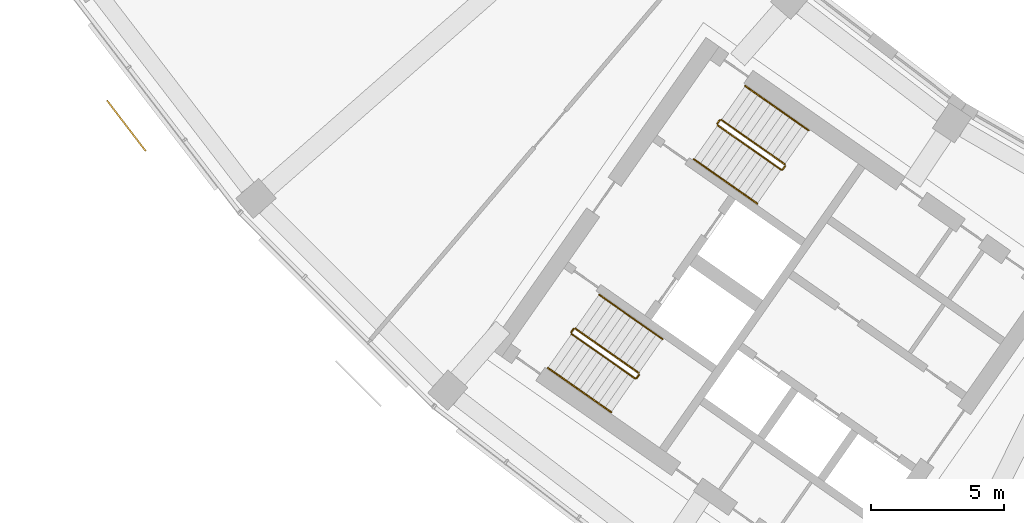
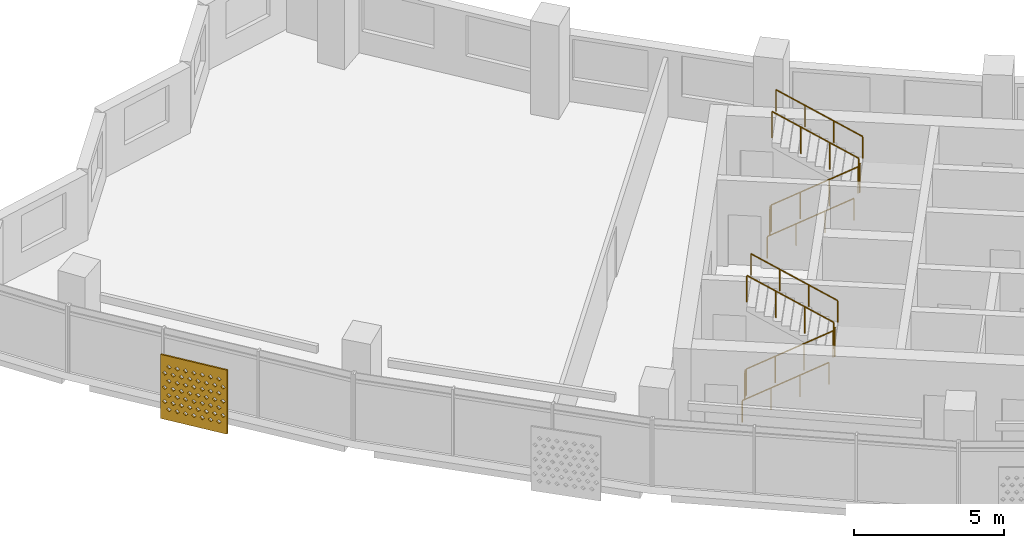
# One storey, part 23 of 28: 10 railings, 1 shading device.
"""IFC4 building model written with IfcOpenShell, lengths in metres."""

from ifc_helpers import new_model, si_unit, direction, frame, origin, origin_2d, place, context, subcontext, project, spatial, polyline, circle, outline, extrude, material, material_profile, profile_set, type_object, element, save


model = new_model("IFC4")

# Units and contexts
model_context = context("Model", 3, precision=1e-05, world=origin(), true_north=direction((0.0, 1.0)))
body_context = subcontext(model_context, "Body", "Model", "MODEL_VIEW")
ifc_project = project(units=[si_unit("LENGTHUNIT", "METRE"), si_unit("AREAUNIT", "SQUARE_METRE"), si_unit("VOLUMEUNIT", "CUBIC_METRE"), si_unit("PLANEANGLEUNIT", "RADIAN"), si_unit("MASSUNIT", "GRAM", prefix="KILO")], contexts=[model_context])

# Site, building, storey
site_placement = place(None, origin())
site = spatial("IfcSite", under=ifc_project, at=site_placement, CompositionType="ELEMENT")
building_placement = place(site_placement, origin())
building = spatial("IfcBuilding", under=site, at=building_placement, Name="Qamariyya Broadcast Tower", CompositionType="ELEMENT")
storey_placement = place(building_placement, frame((0.0, 0.0, 245.5)))
storey = spatial("IfcBuildingStorey", under=building, at=storey_placement, Name="L59", CompositionType="ELEMENT", Elevation=245.5)

# Shading device
ifc_material_1 = material(Name="Perforated glazed terracotta", Category="masonry")
ifc_material_profile = material_profile(ifc_material_1, outline(polyline([(-1.199951171875, -1.300048828125), (1.199951171875, -1.300048828125), (1.199951171875, 1.300048828125), (-1.199951171875, 1.300048828125), (-1.199951171875, -1.300048828125)]), holes=[polyline([(-0.81494140625, -0.86669921875), (-0.89990234375, -0.78173828125), (-0.985107421875, -0.86669921875), (-0.89990234375, -0.95166015625), (-0.81494140625, -0.86669921875)]), polyline([(-0.514892578125, -0.86669921875), (-0.60009765625, -0.78173828125), (-0.68505859375, -0.86669921875), (-0.60009765625, -0.95166015625), (-0.514892578125, -0.86669921875)]), polyline([(-0.215087890625, -0.86669921875), (-0.300048828125, -0.78173828125), (-0.385009765625, -0.86669921875), (-0.300048828125, -0.95166015625), (-0.215087890625, -0.86669921875)]), polyline([(0.0849609375, -0.86669921875), (0.0, -0.78173828125), (-0.0849609375, -0.86669921875), (0.0, -0.95166015625), (0.0849609375, -0.86669921875)]), polyline([(0.385009765625, -0.86669921875), (0.300048828125, -0.78173828125), (0.215087890625, -0.86669921875), (0.300048828125, -0.95166015625), (0.385009765625, -0.86669921875)]), polyline([(0.68505859375, -0.86669921875), (0.60009765625, -0.78173828125), (0.514892578125, -0.86669921875), (0.60009765625, -0.95166015625), (0.68505859375, -0.86669921875)]), polyline([(0.985107421875, -0.86669921875), (0.89990234375, -0.78173828125), (0.81494140625, -0.86669921875), (0.89990234375, -0.95166015625), (0.985107421875, -0.86669921875)]), polyline([(-0.965087890625, -0.577880859375), (-1.050048828125, -0.49267578125), (-1.135009765625, -0.577880859375), (-1.050048828125, -0.662841796875), (-0.965087890625, -0.577880859375)]), polyline([(-0.6650390625, -0.577880859375), (-0.75, -0.49267578125), (-0.8349609375, -0.577880859375), (-0.75, -0.662841796875), (-0.6650390625, -0.577880859375)]), polyline([(-0.364990234375, -0.577880859375), (-0.449951171875, -0.49267578125), (-0.534912109375, -0.577880859375), (-0.449951171875, -0.662841796875), (-0.364990234375, -0.577880859375)]), polyline([(-0.06494140625, -0.577880859375), (-0.14990234375, -0.49267578125), (-0.235107421875, -0.577880859375), (-0.14990234375, -0.662841796875), (-0.06494140625, -0.577880859375)]), polyline([(0.235107421875, -0.577880859375), (0.14990234375, -0.49267578125), (0.06494140625, -0.577880859375), (0.14990234375, -0.662841796875), (0.235107421875, -0.577880859375)]), polyline([(0.534912109375, -0.577880859375), (0.449951171875, -0.49267578125), (0.364990234375, -0.577880859375), (0.449951171875, -0.662841796875), (0.534912109375, -0.577880859375)]), polyline([(0.8349609375, -0.577880859375), (0.75, -0.49267578125), (0.6650390625, -0.577880859375), (0.75, -0.662841796875), (0.8349609375, -0.577880859375)]), polyline([(1.135009765625, -0.577880859375), (1.050048828125, -0.49267578125), (0.965087890625, -0.577880859375), (1.050048828125, -0.662841796875), (1.135009765625, -0.577880859375)]), polyline([(-0.81494140625, -0.288818359375), (-0.89990234375, -0.203857421875), (-0.985107421875, -0.288818359375), (-0.89990234375, -0.373779296875), (-0.81494140625, -0.288818359375)]), polyline([(-0.514892578125, -0.288818359375), (-0.60009765625, -0.203857421875), (-0.68505859375, -0.288818359375), (-0.60009765625, -0.373779296875), (-0.514892578125, -0.288818359375)]), polyline([(-0.215087890625, -0.288818359375), (-0.300048828125, -0.203857421875), (-0.385009765625, -0.288818359375), (-0.300048828125, -0.373779296875), (-0.215087890625, -0.288818359375)]), polyline([(0.0849609375, -0.288818359375), (0.0, -0.203857421875), (-0.0849609375, -0.288818359375), (0.0, -0.373779296875), (0.0849609375, -0.288818359375)]), polyline([(0.385009765625, -0.288818359375), (0.300048828125, -0.203857421875), (0.215087890625, -0.288818359375), (0.300048828125, -0.373779296875), (0.385009765625, -0.288818359375)]), polyline([(0.68505859375, -0.288818359375), (0.60009765625, -0.203857421875), (0.514892578125, -0.288818359375), (0.60009765625, -0.373779296875), (0.68505859375, -0.288818359375)]), polyline([(0.985107421875, -0.288818359375), (0.89990234375, -0.203857421875), (0.81494140625, -0.288818359375), (0.89990234375, -0.373779296875), (0.985107421875, -0.288818359375)]), polyline([(-0.965087890625, 0.0), (-1.050048828125, 0.0849609375), (-1.135009765625, 0.0), (-1.050048828125, -0.0849609375), (-0.965087890625, 0.0)]), polyline([(-0.6650390625, 0.0), (-0.75, 0.0849609375), (-0.8349609375, 0.0), (-0.75, -0.0849609375), (-0.6650390625, 0.0)]), polyline([(-0.364990234375, 0.0), (-0.449951171875, 0.0849609375), (-0.534912109375, 0.0), (-0.449951171875, -0.0849609375), (-0.364990234375, 0.0)]), polyline([(-0.06494140625, 0.0), (-0.14990234375, 0.0849609375), (-0.235107421875, 0.0), (-0.14990234375, -0.0849609375), (-0.06494140625, 0.0)]), polyline([(0.235107421875, 0.0), (0.14990234375, 0.0849609375), (0.06494140625, 0.0), (0.14990234375, -0.0849609375), (0.235107421875, 0.0)]), polyline([(0.534912109375, 0.0), (0.449951171875, 0.0849609375), (0.364990234375, 0.0), (0.449951171875, -0.0849609375), (0.534912109375, 0.0)]), polyline([(0.8349609375, 0.0), (0.75, 0.0849609375), (0.6650390625, 0.0), (0.75, -0.0849609375), (0.8349609375, 0.0)]), polyline([(1.135009765625, 0.0), (1.050048828125, 0.0849609375), (0.965087890625, 0.0), (1.050048828125, -0.0849609375), (1.135009765625, 0.0)]), polyline([(-0.81494140625, 0.288818359375), (-0.89990234375, 0.373779296875), (-0.985107421875, 0.288818359375), (-0.89990234375, 0.203857421875), (-0.81494140625, 0.288818359375)]), polyline([(-0.514892578125, 0.288818359375), (-0.60009765625, 0.373779296875), (-0.68505859375, 0.288818359375), (-0.60009765625, 0.203857421875), (-0.514892578125, 0.288818359375)]), polyline([(-0.215087890625, 0.288818359375), (-0.300048828125, 0.373779296875), (-0.385009765625, 0.288818359375), (-0.300048828125, 0.203857421875), (-0.215087890625, 0.288818359375)]), polyline([(0.0849609375, 0.288818359375), (0.0, 0.373779296875), (-0.0849609375, 0.288818359375), (0.0, 0.203857421875), (0.0849609375, 0.288818359375)]), polyline([(0.385009765625, 0.288818359375), (0.300048828125, 0.373779296875), (0.215087890625, 0.288818359375), (0.300048828125, 0.203857421875), (0.385009765625, 0.288818359375)]), polyline([(0.68505859375, 0.288818359375), (0.60009765625, 0.373779296875), (0.514892578125, 0.288818359375), (0.60009765625, 0.203857421875), (0.68505859375, 0.288818359375)]), polyline([(0.985107421875, 0.288818359375), (0.89990234375, 0.373779296875), (0.81494140625, 0.288818359375), (0.89990234375, 0.203857421875), (0.985107421875, 0.288818359375)]), polyline([(-0.965087890625, 0.577880859375), (-1.050048828125, 0.662841796875), (-1.135009765625, 0.577880859375), (-1.050048828125, 0.49267578125), (-0.965087890625, 0.577880859375)]), polyline([(-0.6650390625, 0.577880859375), (-0.75, 0.662841796875), (-0.8349609375, 0.577880859375), (-0.75, 0.49267578125), (-0.6650390625, 0.577880859375)]), polyline([(-0.364990234375, 0.577880859375), (-0.449951171875, 0.662841796875), (-0.534912109375, 0.577880859375), (-0.449951171875, 0.49267578125), (-0.364990234375, 0.577880859375)]), polyline([(-0.06494140625, 0.577880859375), (-0.14990234375, 0.662841796875), (-0.235107421875, 0.577880859375), (-0.14990234375, 0.49267578125), (-0.06494140625, 0.577880859375)]), polyline([(0.235107421875, 0.577880859375), (0.14990234375, 0.662841796875), (0.06494140625, 0.577880859375), (0.14990234375, 0.49267578125), (0.235107421875, 0.577880859375)]), polyline([(0.534912109375, 0.577880859375), (0.449951171875, 0.662841796875), (0.364990234375, 0.577880859375), (0.449951171875, 0.49267578125), (0.534912109375, 0.577880859375)]), polyline([(0.8349609375, 0.577880859375), (0.75, 0.662841796875), (0.6650390625, 0.577880859375), (0.75, 0.49267578125), (0.8349609375, 0.577880859375)]), polyline([(1.135009765625, 0.577880859375), (1.050048828125, 0.662841796875), (0.965087890625, 0.577880859375), (1.050048828125, 0.49267578125), (1.135009765625, 0.577880859375)]), polyline([(-0.81494140625, 0.86669921875), (-0.89990234375, 0.95166015625), (-0.985107421875, 0.86669921875), (-0.89990234375, 0.78173828125), (-0.81494140625, 0.86669921875)]), polyline([(-0.514892578125, 0.86669921875), (-0.60009765625, 0.95166015625), (-0.68505859375, 0.86669921875), (-0.60009765625, 0.78173828125), (-0.514892578125, 0.86669921875)]), polyline([(-0.215087890625, 0.86669921875), (-0.300048828125, 0.95166015625), (-0.385009765625, 0.86669921875), (-0.300048828125, 0.78173828125), (-0.215087890625, 0.86669921875)]), polyline([(0.0849609375, 0.86669921875), (0.0, 0.95166015625), (-0.0849609375, 0.86669921875), (0.0, 0.78173828125), (0.0849609375, 0.86669921875)]), polyline([(0.385009765625, 0.86669921875), (0.300048828125, 0.95166015625), (0.215087890625, 0.86669921875), (0.300048828125, 0.78173828125), (0.385009765625, 0.86669921875)]), polyline([(0.68505859375, 0.86669921875), (0.60009765625, 0.95166015625), (0.514892578125, 0.86669921875), (0.60009765625, 0.78173828125), (0.68505859375, 0.86669921875)]), polyline([(0.985107421875, 0.86669921875), (0.89990234375, 0.95166015625), (0.81494140625, 0.86669921875), (0.89990234375, 0.78173828125), (0.985107421875, 0.86669921875)])]))
ifc_profile_set = profile_set([ifc_material_profile], Name="Perforated glazed terracotta")
shading_device_type = type_object("IfcShadingDeviceType", Name="Perforated terracotta screen 2400 x 2600", PredefinedType="USERDEFINED", material=ifc_profile_set)
shading_device_placement = place(storey_placement, frame((-63.293212890625, -48.521240234375, 1.35009765625), z_axis=(-0.794589096806, -0.607147566278, 0.0), x_axis=(0.607147566278, -0.794589096806, 0.0)))
element("IfcShadingDevice", 1, at=shading_device_placement, inside=storey, type_object=shading_device_type, Name="e-scr-L59-01-1", ObjectType="SCREEN", PredefinedType="USERDEFINED", context=body_context, shape_type="SweptSolid", body=[
    extrude(outline(polyline([(-1.199951171875, -1.300048828125), (1.199951171875, -1.300048828125), (1.199951171875, 1.300048828125), (-1.199951171875, 1.300048828125), (-1.199951171875, -1.300048828125)]), holes=[polyline([(-0.81494140625, -0.86669921875), (-0.89990234375, -0.78173828125), (-0.985107421875, -0.86669921875), (-0.89990234375, -0.95166015625), (-0.81494140625, -0.86669921875)]), polyline([(-0.514892578125, -0.86669921875), (-0.60009765625, -0.78173828125), (-0.68505859375, -0.86669921875), (-0.60009765625, -0.95166015625), (-0.514892578125, -0.86669921875)]), polyline([(-0.215087890625, -0.86669921875), (-0.300048828125, -0.78173828125), (-0.385009765625, -0.86669921875), (-0.300048828125, -0.95166015625), (-0.215087890625, -0.86669921875)]), polyline([(0.0849609375, -0.86669921875), (0.0, -0.78173828125), (-0.0849609375, -0.86669921875), (0.0, -0.95166015625), (0.0849609375, -0.86669921875)]), polyline([(0.385009765625, -0.86669921875), (0.300048828125, -0.78173828125), (0.215087890625, -0.86669921875), (0.300048828125, -0.95166015625), (0.385009765625, -0.86669921875)]), polyline([(0.68505859375, -0.86669921875), (0.60009765625, -0.78173828125), (0.514892578125, -0.86669921875), (0.60009765625, -0.95166015625), (0.68505859375, -0.86669921875)]), polyline([(0.985107421875, -0.86669921875), (0.89990234375, -0.78173828125), (0.81494140625, -0.86669921875), (0.89990234375, -0.95166015625), (0.985107421875, -0.86669921875)]), polyline([(-0.965087890625, -0.577880859375), (-1.050048828125, -0.49267578125), (-1.135009765625, -0.577880859375), (-1.050048828125, -0.662841796875), (-0.965087890625, -0.577880859375)]), polyline([(-0.6650390625, -0.577880859375), (-0.75, -0.49267578125), (-0.8349609375, -0.577880859375), (-0.75, -0.662841796875), (-0.6650390625, -0.577880859375)]), polyline([(-0.364990234375, -0.577880859375), (-0.449951171875, -0.49267578125), (-0.534912109375, -0.577880859375), (-0.449951171875, -0.662841796875), (-0.364990234375, -0.577880859375)]), polyline([(-0.06494140625, -0.577880859375), (-0.14990234375, -0.49267578125), (-0.235107421875, -0.577880859375), (-0.14990234375, -0.662841796875), (-0.06494140625, -0.577880859375)]), polyline([(0.235107421875, -0.577880859375), (0.14990234375, -0.49267578125), (0.06494140625, -0.577880859375), (0.14990234375, -0.662841796875), (0.235107421875, -0.577880859375)]), polyline([(0.534912109375, -0.577880859375), (0.449951171875, -0.49267578125), (0.364990234375, -0.577880859375), (0.449951171875, -0.662841796875), (0.534912109375, -0.577880859375)]), polyline([(0.8349609375, -0.577880859375), (0.75, -0.49267578125), (0.6650390625, -0.577880859375), (0.75, -0.662841796875), (0.8349609375, -0.577880859375)]), polyline([(1.135009765625, -0.577880859375), (1.050048828125, -0.49267578125), (0.965087890625, -0.577880859375), (1.050048828125, -0.662841796875), (1.135009765625, -0.577880859375)]), polyline([(-0.81494140625, -0.288818359375), (-0.89990234375, -0.203857421875), (-0.985107421875, -0.288818359375), (-0.89990234375, -0.373779296875), (-0.81494140625, -0.288818359375)]), polyline([(-0.514892578125, -0.288818359375), (-0.60009765625, -0.203857421875), (-0.68505859375, -0.288818359375), (-0.60009765625, -0.373779296875), (-0.514892578125, -0.288818359375)]), polyline([(-0.215087890625, -0.288818359375), (-0.300048828125, -0.203857421875), (-0.385009765625, -0.288818359375), (-0.300048828125, -0.373779296875), (-0.215087890625, -0.288818359375)]), polyline([(0.0849609375, -0.288818359375), (0.0, -0.203857421875), (-0.0849609375, -0.288818359375), (0.0, -0.373779296875), (0.0849609375, -0.288818359375)]), polyline([(0.385009765625, -0.288818359375), (0.300048828125, -0.203857421875), (0.215087890625, -0.288818359375), (0.300048828125, -0.373779296875), (0.385009765625, -0.288818359375)]), polyline([(0.68505859375, -0.288818359375), (0.60009765625, -0.203857421875), (0.514892578125, -0.288818359375), (0.60009765625, -0.373779296875), (0.68505859375, -0.288818359375)]), polyline([(0.985107421875, -0.288818359375), (0.89990234375, -0.203857421875), (0.81494140625, -0.288818359375), (0.89990234375, -0.373779296875), (0.985107421875, -0.288818359375)]), polyline([(-0.965087890625, 0.0), (-1.050048828125, 0.0849609375), (-1.135009765625, 0.0), (-1.050048828125, -0.0849609375), (-0.965087890625, 0.0)]), polyline([(-0.6650390625, 0.0), (-0.75, 0.0849609375), (-0.8349609375, 0.0), (-0.75, -0.0849609375), (-0.6650390625, 0.0)]), polyline([(-0.364990234375, 0.0), (-0.449951171875, 0.0849609375), (-0.534912109375, 0.0), (-0.449951171875, -0.0849609375), (-0.364990234375, 0.0)]), polyline([(-0.06494140625, 0.0), (-0.14990234375, 0.0849609375), (-0.235107421875, 0.0), (-0.14990234375, -0.0849609375), (-0.06494140625, 0.0)]), polyline([(0.235107421875, 0.0), (0.14990234375, 0.0849609375), (0.06494140625, 0.0), (0.14990234375, -0.0849609375), (0.235107421875, 0.0)]), polyline([(0.534912109375, 0.0), (0.449951171875, 0.0849609375), (0.364990234375, 0.0), (0.449951171875, -0.0849609375), (0.534912109375, 0.0)]), polyline([(0.8349609375, 0.0), (0.75, 0.0849609375), (0.6650390625, 0.0), (0.75, -0.0849609375), (0.8349609375, 0.0)]), polyline([(1.135009765625, 0.0), (1.050048828125, 0.0849609375), (0.965087890625, 0.0), (1.050048828125, -0.0849609375), (1.135009765625, 0.0)]), polyline([(-0.81494140625, 0.288818359375), (-0.89990234375, 0.373779296875), (-0.985107421875, 0.288818359375), (-0.89990234375, 0.203857421875), (-0.81494140625, 0.288818359375)]), polyline([(-0.514892578125, 0.288818359375), (-0.60009765625, 0.373779296875), (-0.68505859375, 0.288818359375), (-0.60009765625, 0.203857421875), (-0.514892578125, 0.288818359375)]), polyline([(-0.215087890625, 0.288818359375), (-0.300048828125, 0.373779296875), (-0.385009765625, 0.288818359375), (-0.300048828125, 0.203857421875), (-0.215087890625, 0.288818359375)]), polyline([(0.0849609375, 0.288818359375), (0.0, 0.373779296875), (-0.0849609375, 0.288818359375), (0.0, 0.203857421875), (0.0849609375, 0.288818359375)]), polyline([(0.385009765625, 0.288818359375), (0.300048828125, 0.373779296875), (0.215087890625, 0.288818359375), (0.300048828125, 0.203857421875), (0.385009765625, 0.288818359375)]), polyline([(0.68505859375, 0.288818359375), (0.60009765625, 0.373779296875), (0.514892578125, 0.288818359375), (0.60009765625, 0.203857421875), (0.68505859375, 0.288818359375)]), polyline([(0.985107421875, 0.288818359375), (0.89990234375, 0.373779296875), (0.81494140625, 0.288818359375), (0.89990234375, 0.203857421875), (0.985107421875, 0.288818359375)]), polyline([(-0.965087890625, 0.577880859375), (-1.050048828125, 0.662841796875), (-1.135009765625, 0.577880859375), (-1.050048828125, 0.49267578125), (-0.965087890625, 0.577880859375)]), polyline([(-0.6650390625, 0.577880859375), (-0.75, 0.662841796875), (-0.8349609375, 0.577880859375), (-0.75, 0.49267578125), (-0.6650390625, 0.577880859375)]), polyline([(-0.364990234375, 0.577880859375), (-0.449951171875, 0.662841796875), (-0.534912109375, 0.577880859375), (-0.449951171875, 0.49267578125), (-0.364990234375, 0.577880859375)]), polyline([(-0.06494140625, 0.577880859375), (-0.14990234375, 0.662841796875), (-0.235107421875, 0.577880859375), (-0.14990234375, 0.49267578125), (-0.06494140625, 0.577880859375)]), polyline([(0.235107421875, 0.577880859375), (0.14990234375, 0.662841796875), (0.06494140625, 0.577880859375), (0.14990234375, 0.49267578125), (0.235107421875, 0.577880859375)]), polyline([(0.534912109375, 0.577880859375), (0.449951171875, 0.662841796875), (0.364990234375, 0.577880859375), (0.449951171875, 0.49267578125), (0.534912109375, 0.577880859375)]), polyline([(0.8349609375, 0.577880859375), (0.75, 0.662841796875), (0.6650390625, 0.577880859375), (0.75, 0.49267578125), (0.8349609375, 0.577880859375)]), polyline([(1.135009765625, 0.577880859375), (1.050048828125, 0.662841796875), (0.965087890625, 0.577880859375), (1.050048828125, 0.49267578125), (1.135009765625, 0.577880859375)]), polyline([(-0.81494140625, 0.86669921875), (-0.89990234375, 0.95166015625), (-0.985107421875, 0.86669921875), (-0.89990234375, 0.78173828125), (-0.81494140625, 0.86669921875)]), polyline([(-0.514892578125, 0.86669921875), (-0.60009765625, 0.95166015625), (-0.68505859375, 0.86669921875), (-0.60009765625, 0.78173828125), (-0.514892578125, 0.86669921875)]), polyline([(-0.215087890625, 0.86669921875), (-0.300048828125, 0.95166015625), (-0.385009765625, 0.86669921875), (-0.300048828125, 0.78173828125), (-0.215087890625, 0.86669921875)]), polyline([(0.0849609375, 0.86669921875), (0.0, 0.95166015625), (-0.0849609375, 0.86669921875), (0.0, 0.78173828125), (0.0849609375, 0.86669921875)]), polyline([(0.385009765625, 0.86669921875), (0.300048828125, 0.95166015625), (0.215087890625, 0.86669921875), (0.300048828125, 0.78173828125), (0.385009765625, 0.86669921875)]), polyline([(0.68505859375, 0.86669921875), (0.60009765625, 0.95166015625), (0.514892578125, 0.86669921875), (0.60009765625, 0.78173828125), (0.68505859375, 0.86669921875)]), polyline([(0.985107421875, 0.86669921875), (0.89990234375, 0.95166015625), (0.81494140625, 0.86669921875), (0.89990234375, 0.78173828125), (0.985107421875, 0.86669921875)])]), origin(), (0.0, 0.0, 1.0), 0.059814453125),
])

# Railings
ifc_material_2 = material(Name="Painted steel", Category="steel")
railing_type_1 = type_object("IfcRailingType", Name="Stair guard", PredefinedType="GUARDRAIL", material=ifc_material_2)
railing_1_placement = place(storey_placement, frame((-41.146728515625, -48.52490234375, 0.172607421875)))
element("IfcRailing", 2, at=railing_1_placement, inside=storey, type_object=railing_type_1, Name="L59 ST-W2 stair guard 1", PredefinedType="GUARDRAIL", context=body_context, shape_type="SweptSolid", body=[
    extrude(circle(Radius=0.02392578125, at=origin_2d()), frame((0.0, 0.0, 1.076171875), z_axis=(0.703770094002, -0.492783725636, 0.511734163933), x_axis=(0.573575343427, 0.819152809562, 0.0)), (0.0, 0.0, 1.0), 3.37548828125),
    extrude(circle(Radius=0.02392578125, at=origin_2d()), frame((2.37548828125, -1.663330078125, 2.80322265625), z_axis=(0.985059694769, 0.172213233351, 0.0), x_axis=(-0.172213233351, 0.985059694769, 0.0)), (0.0, 0.0, 1.0), 0.07080078125),
    extrude(circle(Radius=0.02392578125, at=origin_2d()), frame((2.4453125, -1.651123046875, 2.80322265625), z_axis=(0.572588637393, 0.819842821722, 0.0), x_axis=(-0.819842821722, 0.572588637393, 0.0)), (0.0, 0.0, 1.0), 0.150146484375),
    extrude(circle(Radius=0.02099609375, at=origin_2d()), origin(), (0.0, 0.0, 1.0), 1.052001953125),
    extrude(circle(Radius=0.02099609375, at=origin_2d()), frame((0.791748046875, -0.554443359375, 0.57568359375)), (0.0, 0.0, 1.0), 1.052001953125),
    extrude(circle(Radius=0.02099609375, at=origin_2d()), frame((1.583740234375, -1.10888671875, 1.151611328125)), (0.0, 0.0, 1.0), 1.052001953125),
    extrude(circle(Radius=0.02099609375, at=origin_2d()), frame((2.37548828125, -1.663330078125, 1.727294921875)), (0.0, 0.0, 1.0), 1.052001953125),
    extrude(circle(Radius=0.02099609375, at=origin_2d()), frame((2.4453125, -1.651123046875, 1.727294921875)), (0.0, 0.0, 1.0), 1.052001953125),
    extrude(circle(Radius=0.02099609375, at=origin_2d()), frame((2.53125, -1.528076171875, 1.727294921875)), (0.0, 0.0, 1.0), 1.052001953125),
])
railing_2_placement = place(storey_placement, frame((-38.627685546875, -49.9833984375, 2.07275390625)))
element("IfcRailing", 3, at=railing_2_placement, inside=storey, type_object=railing_type_1, Name="L59 ST-W2 stair guard 2", PredefinedType="GUARDRAIL", context=body_context, shape_type="SweptSolid", body=[
    extrude(circle(Radius=0.02392578125, at=origin_2d()), frame((0.0, 0.0, 1.076171875), z_axis=(-0.703770094002, 0.492783725636, 0.511734163933), x_axis=(-0.573575343427, -0.819152809562, 0.0)), (0.0, 0.0, 1.0), 3.37548828125),
    extrude(circle(Radius=0.02099609375, at=origin_2d()), origin(), (0.0, 0.0, 1.0), 1.052001953125),
    extrude(circle(Radius=0.02099609375, at=origin_2d()), frame((-0.791748046875, 0.554443359375, 0.57568359375)), (0.0, 0.0, 1.0), 1.052001953125),
    extrude(circle(Radius=0.02099609375, at=origin_2d()), frame((-1.583740234375, 1.10888671875, 1.151611328125)), (0.0, 0.0, 1.0), 1.052001953125),
    extrude(circle(Radius=0.02099609375, at=origin_2d()), frame((-2.37548828125, 1.663330078125, 1.727294921875)), (0.0, 0.0, 1.0), 1.052001953125),
])
railing_3_placement = place(storey_placement, frame((-41.158935546875, -48.455322265625, 0.0)))
element("IfcRailing", 4, at=railing_3_placement, inside=storey, type_object=railing_type_1, Name="L59 ST-W2 stair guard 3", PredefinedType="GUARDRAIL", context=body_context, shape_type="SweptSolid", body=[
    extrude(circle(Radius=0.02392578125, at=origin_2d()), frame((0.0, 0.0, 1.076171875), z_axis=(0.572588637393, 0.819842821722, 0.0), x_axis=(-0.819842821722, 0.572588637393, 0.0)), (0.0, 0.0, 1.0), 0.150146484375),
    extrude(circle(Radius=0.02099609375, at=origin_2d()), origin(), (0.0, 0.0, 1.0), 1.052001953125),
    extrude(circle(Radius=0.02099609375, at=origin_2d()), frame((0.0859375, 0.123046875, 0.0)), (0.0, 0.0, 1.0), 1.052001953125),
])
railing_4_placement = place(storey_placement, frame((-46.624267578125, -56.34765625, 0.172607421875)))
element("IfcRailing", 5, at=railing_4_placement, inside=storey, type_object=railing_type_1, Name="L59 ST-W1 stair guard 1", PredefinedType="GUARDRAIL", context=body_context, shape_type="SweptSolid", body=[
    extrude(circle(Radius=0.02392578125, at=origin_2d()), frame((0.0, 0.0, 1.076171875), z_axis=(0.703745009021, -0.492838488332, 0.511715923826), x_axis=(0.573631830683, 0.819113253969, 0.0)), (0.0, 0.0, 1.0), 3.37548828125),
    extrude(circle(Radius=0.02392578125, at=origin_2d()), frame((2.37548828125, -1.66357421875, 2.80322265625), z_axis=(0.984363469884, 0.176149252506, 0.0), x_axis=(-0.176149252506, 0.984363469884, 0.0)), (0.0, 0.0, 1.0), 0.07080078125),
    extrude(circle(Radius=0.02392578125, at=origin_2d()), frame((2.445068359375, -1.651123046875, 2.80322265625), z_axis=(0.574444878118, 0.818543268254, 0.0), x_axis=(-0.818543268254, 0.574444878118, 0.0)), (0.0, 0.0, 1.0), 0.150146484375),
    extrude(circle(Radius=0.02099609375, at=origin_2d()), origin(), (0.0, 0.0, 1.0), 1.052001953125),
    extrude(circle(Radius=0.02099609375, at=origin_2d()), frame((0.791748046875, -0.554443359375, 0.57568359375)), (0.0, 0.0, 1.0), 1.052001953125),
    extrude(circle(Radius=0.02099609375, at=origin_2d()), frame((1.583740234375, -1.109130859375, 1.151611328125)), (0.0, 0.0, 1.0), 1.052001953125),
    extrude(circle(Radius=0.02099609375, at=origin_2d()), frame((2.37548828125, -1.66357421875, 1.727294921875)), (0.0, 0.0, 1.0), 1.052001953125),
    extrude(circle(Radius=0.02099609375, at=origin_2d()), frame((2.445068359375, -1.651123046875, 1.727294921875)), (0.0, 0.0, 1.0), 1.052001953125),
    extrude(circle(Radius=0.02099609375, at=origin_2d()), frame((2.53125, -1.5283203125, 1.727294921875)), (0.0, 0.0, 1.0), 1.052001953125),
])
railing_5_placement = place(storey_placement, frame((-44.10546875, -57.806396484375, 2.07275390625)))
element("IfcRailing", 6, at=railing_5_placement, inside=storey, type_object=railing_type_1, Name="L59 ST-W1 stair guard 2", PredefinedType="GUARDRAIL", context=body_context, shape_type="SweptSolid", body=[
    extrude(circle(Radius=0.02392578125, at=origin_2d()), frame((0.0, 0.0, 1.076171875), z_axis=(-0.703770094002, 0.492783725636, 0.511734163933), x_axis=(-0.573575343427, -0.819152809562, 0.0)), (0.0, 0.0, 1.0), 3.37548828125),
    extrude(circle(Radius=0.02099609375, at=origin_2d()), origin(), (0.0, 0.0, 1.0), 1.052001953125),
    extrude(circle(Radius=0.02099609375, at=origin_2d()), frame((-0.791748046875, 0.554443359375, 0.57568359375)), (0.0, 0.0, 1.0), 1.052001953125),
    extrude(circle(Radius=0.02099609375, at=origin_2d()), frame((-1.583740234375, 1.10888671875, 1.151611328125)), (0.0, 0.0, 1.0), 1.052001953125),
    extrude(circle(Radius=0.02099609375, at=origin_2d()), frame((-2.37548828125, 1.663330078125, 1.727294921875)), (0.0, 0.0, 1.0), 1.052001953125),
])
railing_6_placement = place(storey_placement, frame((-46.63671875, -56.278076171875, 0.0)))
element("IfcRailing", 7, at=railing_6_placement, inside=storey, type_object=railing_type_1, Name="L59 ST-W1 stair guard 3", PredefinedType="GUARDRAIL", context=body_context, shape_type="SweptSolid", body=[
    extrude(circle(Radius=0.02392578125, at=origin_2d()), frame((0.0, 0.0, 1.076171875), z_axis=(0.574444878118, 0.818543268254, 0.0), x_axis=(-0.818543268254, 0.574444878118, 0.0)), (0.0, 0.0, 1.0), 0.150146484375),
    extrude(circle(Radius=0.02099609375, at=origin_2d()), origin(), (0.0, 0.0, 1.0), 1.052001953125),
    extrude(circle(Radius=0.02099609375, at=origin_2d()), frame((0.086181640625, 0.122802734375, 0.0)), (0.0, 0.0, 1.0), 1.052001953125),
])
ifc_material_3 = material(Name="Stainless steel", Category="steel")
railing_type_2 = type_object("IfcRailingType", Name="Stair handrail", PredefinedType="HANDRAIL", material=ifc_material_3)
railing_7_placement = place(storey_placement, frame((-42.03564453125, -49.79443359375, 0.172607421875)))
element("IfcRailing", 8, at=railing_7_placement, inside=storey, type_object=railing_type_2, Name="L59 ST-W2 stair handrail 1", PredefinedType="HANDRAIL", context=body_context, shape_type="SweptSolid", body=[
    extrude(circle(Radius=0.02392578125, at=origin_2d()), frame((0.0, 0.0, 0.8759765625), z_axis=(0.703745009021, -0.492838488332, 0.511715923826), x_axis=(0.573631830683, 0.819113253969, 0.0)), (0.0, 0.0, 1.0), 3.37548828125),
    extrude(circle(Radius=0.02099609375, at=origin_2d()), origin(), (0.0, 0.0, 1.0), 0.851806640625),
    extrude(circle(Radius=0.02099609375, at=origin_2d()), frame((0.791748046875, -0.554443359375, 0.57568359375)), (0.0, 0.0, 1.0), 0.851806640625),
    extrude(circle(Radius=0.02099609375, at=origin_2d()), frame((1.583740234375, -1.109130859375, 1.151611328125)), (0.0, 0.0, 1.0), 0.851806640625),
    extrude(circle(Radius=0.02099609375, at=origin_2d()), frame((2.37548828125, -1.66357421875, 1.727294921875)), (0.0, 0.0, 1.0), 0.851806640625),
])
railing_8_placement = place(storey_placement, frame((-37.73876953125, -48.7138671875, 2.07275390625)))
element("IfcRailing", 9, at=railing_8_placement, inside=storey, type_object=railing_type_2, Name="L59 ST-W2 stair handrail 2", PredefinedType="HANDRAIL", context=body_context, shape_type="SweptSolid", body=[
    extrude(circle(Radius=0.02392578125, at=origin_2d()), frame((0.0, 0.0, 0.8759765625), z_axis=(-0.703745009021, 0.492838488332, 0.511715923826), x_axis=(-0.573631830683, -0.819113253969, 0.0)), (0.0, 0.0, 1.0), 3.37548828125),
    extrude(circle(Radius=0.02099609375, at=origin_2d()), origin(), (0.0, 0.0, 1.0), 0.851806640625),
    extrude(circle(Radius=0.02099609375, at=origin_2d()), frame((-0.791748046875, 0.554443359375, 0.57568359375)), (0.0, 0.0, 1.0), 0.851806640625),
    extrude(circle(Radius=0.02099609375, at=origin_2d()), frame((-1.583740234375, 1.109130859375, 1.151611328125)), (0.0, 0.0, 1.0), 0.851806640625),
    extrude(circle(Radius=0.02099609375, at=origin_2d()), frame((-2.37548828125, 1.66357421875, 1.727294921875)), (0.0, 0.0, 1.0), 0.851806640625),
])
railing_9_placement = place(storey_placement, frame((-47.513427734375, -57.617431640625, 0.172607421875)))
element("IfcRailing", 10, at=railing_9_placement, inside=storey, type_object=railing_type_2, Name="L59 ST-W1 stair handrail 1", PredefinedType="HANDRAIL", context=body_context, shape_type="SweptSolid", body=[
    extrude(circle(Radius=0.02392578125, at=origin_2d()), frame((0.0, 0.0, 0.8759765625), z_axis=(0.703770094002, -0.492783725636, 0.511734163933), x_axis=(0.573575343427, 0.819152809562, 0.0)), (0.0, 0.0, 1.0), 3.37548828125),
    extrude(circle(Radius=0.02099609375, at=origin_2d()), origin(), (0.0, 0.0, 1.0), 0.851806640625),
    extrude(circle(Radius=0.02099609375, at=origin_2d()), frame((0.791748046875, -0.554443359375, 0.57568359375)), (0.0, 0.0, 1.0), 0.851806640625),
    extrude(circle(Radius=0.02099609375, at=origin_2d()), frame((1.583740234375, -1.10888671875, 1.151611328125)), (0.0, 0.0, 1.0), 0.851806640625),
    extrude(circle(Radius=0.02099609375, at=origin_2d()), frame((2.37548828125, -1.663330078125, 1.727294921875)), (0.0, 0.0, 1.0), 0.851806640625),
])
railing_10_placement = place(storey_placement, frame((-43.21630859375, -56.53662109375, 2.07275390625)))
element("IfcRailing", 11, at=railing_10_placement, inside=storey, type_object=railing_type_2, Name="L59 ST-W1 stair handrail 2", PredefinedType="HANDRAIL", context=body_context, shape_type="SweptSolid", body=[
    extrude(circle(Radius=0.02392578125, at=origin_2d()), frame((0.0, 0.0, 0.8759765625), z_axis=(-0.703770094002, 0.492783725636, 0.511734163933), x_axis=(-0.573575343427, -0.819152809562, 0.0)), (0.0, 0.0, 1.0), 3.37548828125),
    extrude(circle(Radius=0.02099609375, at=origin_2d()), origin(), (0.0, 0.0, 1.0), 0.851806640625),
    extrude(circle(Radius=0.02099609375, at=origin_2d()), frame((-0.791748046875, 0.554443359375, 0.57568359375)), (0.0, 0.0, 1.0), 0.851806640625),
    extrude(circle(Radius=0.02099609375, at=origin_2d()), frame((-1.583740234375, 1.10888671875, 1.151611328125)), (0.0, 0.0, 1.0), 0.851806640625),
    extrude(circle(Radius=0.02099609375, at=origin_2d()), frame((-2.37548828125, 1.663330078125, 1.727294921875)), (0.0, 0.0, 1.0), 0.851806640625),
])

save(model, "model.ifc")
